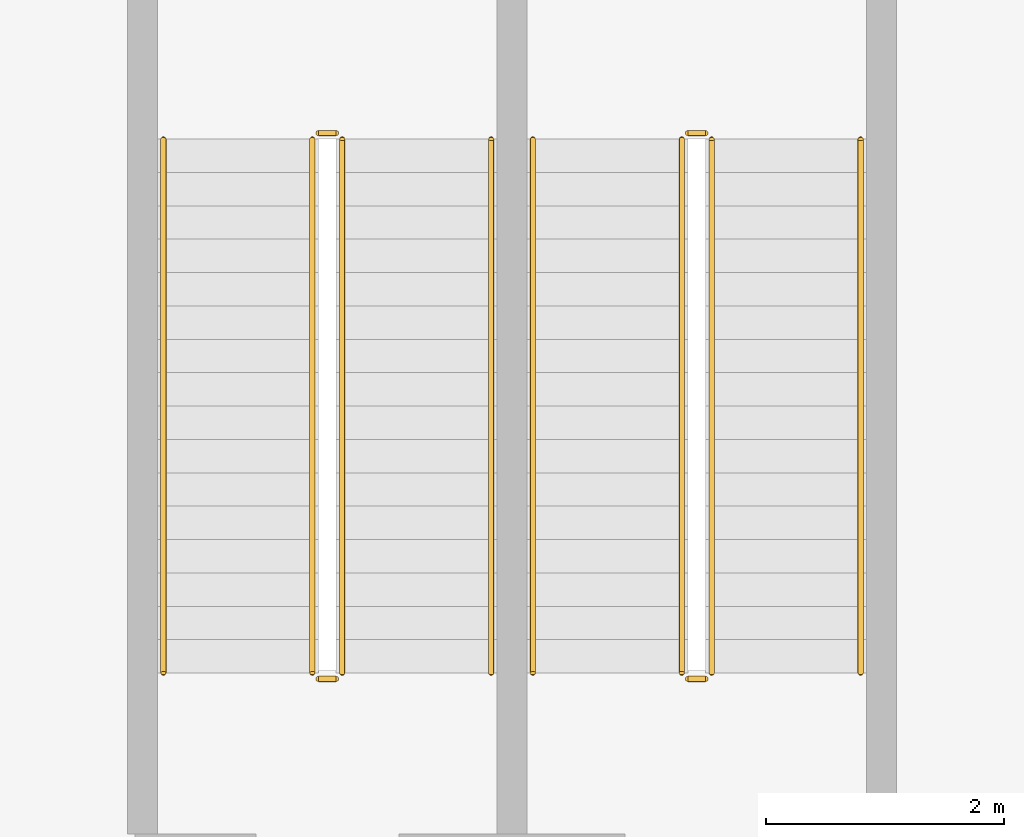
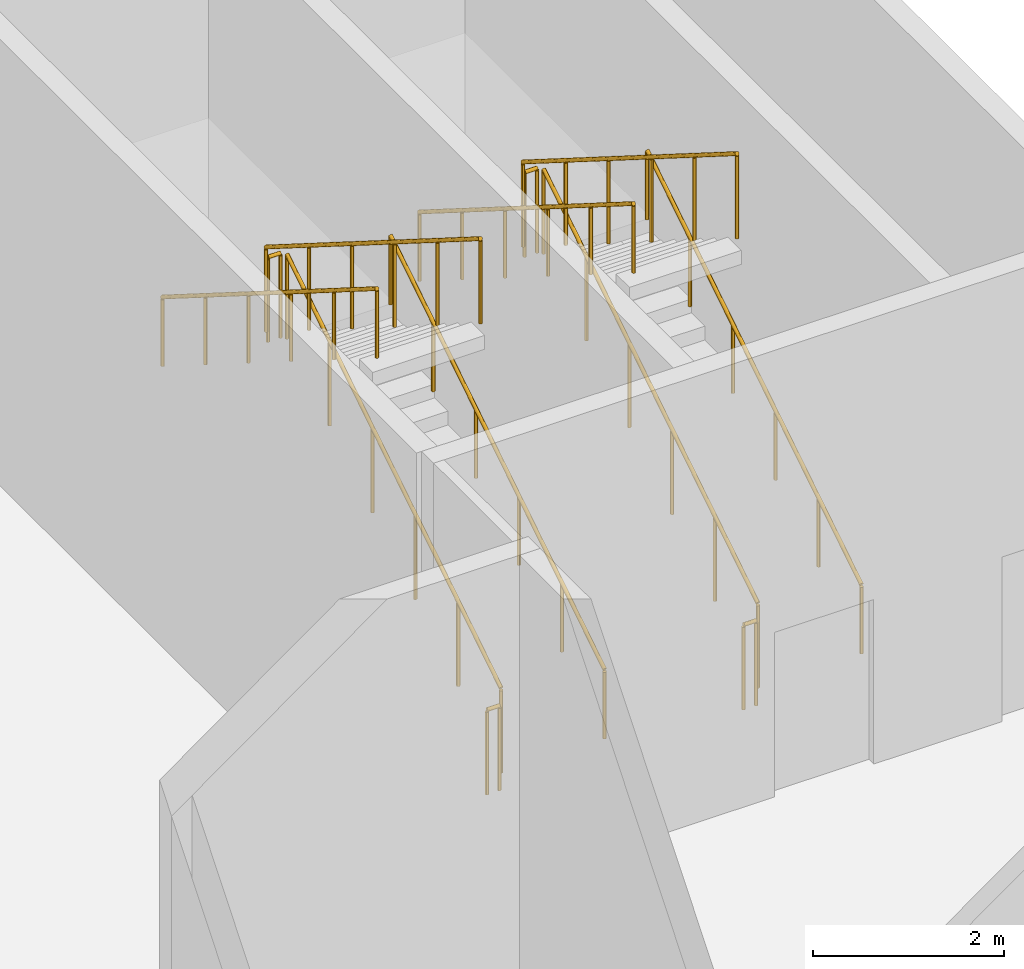
# One storey, part 49 of 49: 12 railings.
"""IFC4 building model written with IfcOpenShell, lengths in metres."""

from ifc_helpers import new_model, si_unit, direction, frame, origin, origin_2d, place, context, subcontext, project, spatial, circle, extrude, material, type_object, element, save


model = new_model("IFC4")

# Units and contexts
model_context = context("Model", 3, precision=1e-05, world=origin(), true_north=direction((0.0, 1.0)))
body_context = subcontext(model_context, "Body", "Model", "MODEL_VIEW")
ifc_project = project(units=[si_unit("LENGTHUNIT", "METRE"), si_unit("AREAUNIT", "SQUARE_METRE"), si_unit("VOLUMEUNIT", "CUBIC_METRE"), si_unit("PLANEANGLEUNIT", "RADIAN"), si_unit("MASSUNIT", "GRAM", prefix="KILO")], contexts=[model_context])

# Site, building, storey
site_placement = place(None, origin())
site = spatial("IfcSite", under=ifc_project, at=site_placement, CompositionType="ELEMENT")
building_placement = place(site_placement, origin())
building = spatial("IfcBuilding", under=site, at=building_placement, Name="Candeia Pilgrim Tower and Theatre", CompositionType="ELEMENT")
storey_placement = place(building_placement, frame((0.0, 0.0, 17.0)))
storey = spatial("IfcBuildingStorey", under=building, at=storey_placement, Name="L02", CompositionType="ELEMENT", Elevation=17.0)

# Railings
ifc_material = material(Name="Steel S355", Category="steel")
railing_type_1 = type_object("IfcRailingType", Name="Guard 1100 steel balustrade", PredefinedType="GUARDRAIL", material=ifc_material)
railing_1_placement = place(storey_placement, frame((236.47509765625, 107.77490234375, 0.176513671875)))
element("IfcRailing", 1, at=railing_1_placement, inside=storey, type_object=railing_type_1, Name="L02 TS3 stair guard 1", PredefinedType="GUARDRAIL", context=body_context, shape_type="SweptSolid", body=[
    extrude(circle(Radius=0.02392578125, at=origin_2d()), frame((0.0, 0.0, 1.076171875), z_axis=(0.0, 0.845997938375, 0.533186166611), x_axis=(-1.0, 0.0, 0.0)), (0.0, 0.0, 1.0), 5.29541015625),
    extrude(circle(Radius=0.02099609375, at=origin_2d()), origin(), (0.0, 0.0, 1.0), 1.052001953125),
    extrude(circle(Radius=0.02099609375, at=origin_2d()), frame((0.0, 0.89599609375, 0.564697265625)), (0.0, 0.0, 1.0), 1.052001953125),
    extrude(circle(Radius=0.02099609375, at=origin_2d()), frame((0.0, 1.7919921875, 1.12939453125)), (0.0, 0.0, 1.0), 1.052001953125),
    extrude(circle(Radius=0.02099609375, at=origin_2d()), frame((0.0, 2.68798828125, 1.694091796875)), (0.0, 0.0, 1.0), 1.052001953125),
    extrude(circle(Radius=0.02099609375, at=origin_2d()), frame((0.0, 3.583984375, 2.2587890625)), (0.0, 0.0, 1.0), 1.052001953125),
    extrude(circle(Radius=0.02099609375, at=origin_2d()), frame((0.0, 4.47998046875, 2.823486328125)), (0.0, 0.0, 1.0), 1.052001953125),
])
railing_2_placement = place(storey_placement, frame((236.425048828125, 112.304931640625, 3.0)))
element("IfcRailing", 2, at=railing_2_placement, inside=storey, type_object=railing_type_1, Name="L02 TS3 stair guard 2", PredefinedType="GUARDRAIL", context=body_context, shape_type="SweptSolid", body=[
    extrude(circle(Radius=0.02392578125, at=origin_2d()), frame((0.0, 0.0, 1.076171875), z_axis=(-1.0, 0.0, 0.0), x_axis=(0.0, -1.0, 0.0)), (0.0, 0.0, 1.0), 0.150146484375),
    extrude(circle(Radius=0.02099609375, at=origin_2d()), origin(), (0.0, 0.0, 1.0), 1.052001953125),
    extrude(circle(Radius=0.02099609375, at=origin_2d()), frame((-0.150146484375, 0.0, 0.0)), (0.0, 0.0, 1.0), 1.052001953125),
])
railing_3_placement = place(storey_placement, frame((236.22509765625, 112.2548828125, 3.176513671875)))
element("IfcRailing", 3, at=railing_3_placement, inside=storey, type_object=railing_type_1, Name="L02 TS3 stair guard 3", PredefinedType="GUARDRAIL", context=body_context, shape_type="SweptSolid", body=[
    extrude(circle(Radius=0.02392578125, at=origin_2d()), frame((0.0, 0.0, 1.076171875), z_axis=(0.0, -0.845997938375, 0.533186166611), x_axis=(1.0, 0.0, 0.0)), (0.0, 0.0, 1.0), 5.29541015625),
    extrude(circle(Radius=0.02099609375, at=origin_2d()), origin(), (0.0, 0.0, 1.0), 1.052001953125),
    extrude(circle(Radius=0.02099609375, at=origin_2d()), frame((0.0, -0.89599609375, 0.564697265625)), (0.0, 0.0, 1.0), 1.052001953125),
    extrude(circle(Radius=0.02099609375, at=origin_2d()), frame((0.0, -1.7919921875, 1.12939453125)), (0.0, 0.0, 1.0), 1.052001953125),
    extrude(circle(Radius=0.02099609375, at=origin_2d()), frame((0.0, -2.68798828125, 1.694091796875)), (0.0, 0.0, 1.0), 1.052001953125),
    extrude(circle(Radius=0.02099609375, at=origin_2d()), frame((0.0, -3.583984375, 2.2587890625)), (0.0, 0.0, 1.0), 1.052001953125),
    extrude(circle(Radius=0.02099609375, at=origin_2d()), frame((0.0, -4.47998046875, 2.823486328125)), (0.0, 0.0, 1.0), 1.052001953125),
])
railing_4_placement = place(storey_placement, frame((236.425048828125, 107.72509765625, 0.0)))
element("IfcRailing", 4, at=railing_4_placement, inside=storey, type_object=railing_type_1, Name="L02 TS3 stair guard 4", PredefinedType="GUARDRAIL", context=body_context, shape_type="SweptSolid", body=[
    extrude(circle(Radius=0.02392578125, at=origin_2d()), frame((0.0, 0.0, 1.076171875), z_axis=(-1.0, 0.0, 0.0), x_axis=(0.0, -1.0, 0.0)), (0.0, 0.0, 1.0), 0.150146484375),
    extrude(circle(Radius=0.02099609375, at=origin_2d()), origin(), (0.0, 0.0, 1.0), 1.052001953125),
    extrude(circle(Radius=0.02099609375, at=origin_2d()), frame((-0.150146484375, 0.0, 0.0)), (0.0, 0.0, 1.0), 1.052001953125),
])
railing_5_placement = place(storey_placement, frame((239.574951171875, 107.77490234375, 0.176513671875)))
element("IfcRailing", 5, at=railing_5_placement, inside=storey, type_object=railing_type_1, Name="L02 TS4 stair guard 1", PredefinedType="GUARDRAIL", context=body_context, shape_type="SweptSolid", body=[
    extrude(circle(Radius=0.02392578125, at=origin_2d()), frame((0.0, 0.0, 1.076171875), z_axis=(0.0, 0.845997938375, 0.533186166611), x_axis=(-1.0, 0.0, 0.0)), (0.0, 0.0, 1.0), 5.29541015625),
    extrude(circle(Radius=0.02099609375, at=origin_2d()), origin(), (0.0, 0.0, 1.0), 1.052001953125),
    extrude(circle(Radius=0.02099609375, at=origin_2d()), frame((0.0, 0.89599609375, 0.564697265625)), (0.0, 0.0, 1.0), 1.052001953125),
    extrude(circle(Radius=0.02099609375, at=origin_2d()), frame((0.0, 1.7919921875, 1.12939453125)), (0.0, 0.0, 1.0), 1.052001953125),
    extrude(circle(Radius=0.02099609375, at=origin_2d()), frame((0.0, 2.68798828125, 1.694091796875)), (0.0, 0.0, 1.0), 1.052001953125),
    extrude(circle(Radius=0.02099609375, at=origin_2d()), frame((0.0, 3.583984375, 2.2587890625)), (0.0, 0.0, 1.0), 1.052001953125),
    extrude(circle(Radius=0.02099609375, at=origin_2d()), frame((0.0, 4.47998046875, 2.823486328125)), (0.0, 0.0, 1.0), 1.052001953125),
])
railing_6_placement = place(storey_placement, frame((239.52490234375, 112.304931640625, 3.0)))
element("IfcRailing", 6, at=railing_6_placement, inside=storey, type_object=railing_type_1, Name="L02 TS4 stair guard 2", PredefinedType="GUARDRAIL", context=body_context, shape_type="SweptSolid", body=[
    extrude(circle(Radius=0.02392578125, at=origin_2d()), frame((0.0, 0.0, 1.076171875), z_axis=(-1.0, 0.0, 0.0), x_axis=(0.0, -1.0, 0.0)), (0.0, 0.0, 1.0), 0.14990234375),
    extrude(circle(Radius=0.02099609375, at=origin_2d()), origin(), (0.0, 0.0, 1.0), 1.052001953125),
    extrude(circle(Radius=0.02099609375, at=origin_2d()), frame((-0.14990234375, 0.0, 0.0)), (0.0, 0.0, 1.0), 1.052001953125),
])
railing_7_placement = place(storey_placement, frame((239.324951171875, 112.2548828125, 3.176513671875)))
element("IfcRailing", 7, at=railing_7_placement, inside=storey, type_object=railing_type_1, Name="L02 TS4 stair guard 3", PredefinedType="GUARDRAIL", context=body_context, shape_type="SweptSolid", body=[
    extrude(circle(Radius=0.02392578125, at=origin_2d()), frame((0.0, 0.0, 1.076171875), z_axis=(0.0, -0.845997938375, 0.533186166611), x_axis=(1.0, 0.0, 0.0)), (0.0, 0.0, 1.0), 5.29541015625),
    extrude(circle(Radius=0.02099609375, at=origin_2d()), origin(), (0.0, 0.0, 1.0), 1.052001953125),
    extrude(circle(Radius=0.02099609375, at=origin_2d()), frame((0.0, -0.89599609375, 0.564697265625)), (0.0, 0.0, 1.0), 1.052001953125),
    extrude(circle(Radius=0.02099609375, at=origin_2d()), frame((0.0, -1.7919921875, 1.12939453125)), (0.0, 0.0, 1.0), 1.052001953125),
    extrude(circle(Radius=0.02099609375, at=origin_2d()), frame((0.0, -2.68798828125, 1.694091796875)), (0.0, 0.0, 1.0), 1.052001953125),
    extrude(circle(Radius=0.02099609375, at=origin_2d()), frame((0.0, -3.583984375, 2.2587890625)), (0.0, 0.0, 1.0), 1.052001953125),
    extrude(circle(Radius=0.02099609375, at=origin_2d()), frame((0.0, -4.47998046875, 2.823486328125)), (0.0, 0.0, 1.0), 1.052001953125),
])
railing_8_placement = place(storey_placement, frame((239.52490234375, 107.72509765625, 0.0)))
element("IfcRailing", 8, at=railing_8_placement, inside=storey, type_object=railing_type_1, Name="L02 TS4 stair guard 4", PredefinedType="GUARDRAIL", context=body_context, shape_type="SweptSolid", body=[
    extrude(circle(Radius=0.02392578125, at=origin_2d()), frame((0.0, 0.0, 1.076171875), z_axis=(-1.0, 0.0, 0.0), x_axis=(0.0, -1.0, 0.0)), (0.0, 0.0, 1.0), 0.14990234375),
    extrude(circle(Radius=0.02099609375, at=origin_2d()), origin(), (0.0, 0.0, 1.0), 1.052001953125),
    extrude(circle(Radius=0.02099609375, at=origin_2d()), frame((-0.14990234375, 0.0, 0.0)), (0.0, 0.0, 1.0), 1.052001953125),
])
railing_type_2 = type_object("IfcRailingType", Name="Handrail 900 steel", PredefinedType="HANDRAIL", material=ifc_material)
railing_9_placement = place(storey_placement, frame((237.72509765625, 107.77490234375, 0.176513671875)))
element("IfcRailing", 9, at=railing_9_placement, inside=storey, type_object=railing_type_2, Name="L02 TS3 stair handrail 1", PredefinedType="HANDRAIL", context=body_context, shape_type="SweptSolid", body=[
    extrude(circle(Radius=0.02392578125, at=origin_2d()), frame((0.0, 0.0, 0.8759765625), z_axis=(0.0, 0.845997938375, 0.533186166611), x_axis=(-1.0, 0.0, 0.0)), (0.0, 0.0, 1.0), 5.29541015625),
    extrude(circle(Radius=0.02099609375, at=origin_2d()), origin(), (0.0, 0.0, 1.0), 0.851806640625),
    extrude(circle(Radius=0.02099609375, at=origin_2d()), frame((0.0, 0.89599609375, 0.564697265625)), (0.0, 0.0, 1.0), 0.851806640625),
    extrude(circle(Radius=0.02099609375, at=origin_2d()), frame((0.0, 1.7919921875, 1.12939453125)), (0.0, 0.0, 1.0), 0.851806640625),
    extrude(circle(Radius=0.02099609375, at=origin_2d()), frame((0.0, 2.68798828125, 1.694091796875)), (0.0, 0.0, 1.0), 0.851806640625),
    extrude(circle(Radius=0.02099609375, at=origin_2d()), frame((0.0, 3.583984375, 2.2587890625)), (0.0, 0.0, 1.0), 0.851806640625),
    extrude(circle(Radius=0.02099609375, at=origin_2d()), frame((0.0, 4.47998046875, 2.823486328125)), (0.0, 0.0, 1.0), 0.851806640625),
])
railing_10_placement = place(storey_placement, frame((234.97509765625, 112.2548828125, 3.176513671875)))
element("IfcRailing", 10, at=railing_10_placement, inside=storey, type_object=railing_type_2, Name="L02 TS3 stair handrail 2", PredefinedType="HANDRAIL", context=body_context, shape_type="SweptSolid", body=[
    extrude(circle(Radius=0.02392578125, at=origin_2d()), frame((0.0, 0.0, 0.8759765625), z_axis=(0.0, -0.845997938375, 0.533186166611), x_axis=(1.0, 0.0, 0.0)), (0.0, 0.0, 1.0), 5.29541015625),
    extrude(circle(Radius=0.02099609375, at=origin_2d()), origin(), (0.0, 0.0, 1.0), 0.851806640625),
    extrude(circle(Radius=0.02099609375, at=origin_2d()), frame((0.0, -0.89599609375, 0.564697265625)), (0.0, 0.0, 1.0), 0.851806640625),
    extrude(circle(Radius=0.02099609375, at=origin_2d()), frame((0.0, -1.7919921875, 1.12939453125)), (0.0, 0.0, 1.0), 0.851806640625),
    extrude(circle(Radius=0.02099609375, at=origin_2d()), frame((0.0, -2.68798828125, 1.694091796875)), (0.0, 0.0, 1.0), 0.851806640625),
    extrude(circle(Radius=0.02099609375, at=origin_2d()), frame((0.0, -3.583984375, 2.2587890625)), (0.0, 0.0, 1.0), 0.851806640625),
    extrude(circle(Radius=0.02099609375, at=origin_2d()), frame((0.0, -4.47998046875, 2.823486328125)), (0.0, 0.0, 1.0), 0.851806640625),
])
railing_11_placement = place(storey_placement, frame((240.824951171875, 107.77490234375, 0.176513671875)))
element("IfcRailing", 11, at=railing_11_placement, inside=storey, type_object=railing_type_2, Name="L02 TS4 stair handrail 1", PredefinedType="HANDRAIL", context=body_context, shape_type="SweptSolid", body=[
    extrude(circle(Radius=0.02392578125, at=origin_2d()), frame((0.0, 0.0, 0.8759765625), z_axis=(0.0, 0.845997938375, 0.533186166611), x_axis=(-1.0, 0.0, 0.0)), (0.0, 0.0, 1.0), 5.29541015625),
    extrude(circle(Radius=0.02099609375, at=origin_2d()), origin(), (0.0, 0.0, 1.0), 0.851806640625),
    extrude(circle(Radius=0.02099609375, at=origin_2d()), frame((0.0, 0.89599609375, 0.564697265625)), (0.0, 0.0, 1.0), 0.851806640625),
    extrude(circle(Radius=0.02099609375, at=origin_2d()), frame((0.0, 1.7919921875, 1.12939453125)), (0.0, 0.0, 1.0), 0.851806640625),
    extrude(circle(Radius=0.02099609375, at=origin_2d()), frame((0.0, 2.68798828125, 1.694091796875)), (0.0, 0.0, 1.0), 0.851806640625),
    extrude(circle(Radius=0.02099609375, at=origin_2d()), frame((0.0, 3.583984375, 2.2587890625)), (0.0, 0.0, 1.0), 0.851806640625),
    extrude(circle(Radius=0.02099609375, at=origin_2d()), frame((0.0, 4.47998046875, 2.823486328125)), (0.0, 0.0, 1.0), 0.851806640625),
])
railing_12_placement = place(storey_placement, frame((238.074951171875, 112.2548828125, 3.176513671875)))
element("IfcRailing", 12, at=railing_12_placement, inside=storey, type_object=railing_type_2, Name="L02 TS4 stair handrail 2", PredefinedType="HANDRAIL", context=body_context, shape_type="SweptSolid", body=[
    extrude(circle(Radius=0.02392578125, at=origin_2d()), frame((0.0, 0.0, 0.8759765625), z_axis=(0.0, -0.845997938375, 0.533186166611), x_axis=(1.0, 0.0, 0.0)), (0.0, 0.0, 1.0), 5.29541015625),
    extrude(circle(Radius=0.02099609375, at=origin_2d()), origin(), (0.0, 0.0, 1.0), 0.851806640625),
    extrude(circle(Radius=0.02099609375, at=origin_2d()), frame((0.0, -0.89599609375, 0.564697265625)), (0.0, 0.0, 1.0), 0.851806640625),
    extrude(circle(Radius=0.02099609375, at=origin_2d()), frame((0.0, -1.7919921875, 1.12939453125)), (0.0, 0.0, 1.0), 0.851806640625),
    extrude(circle(Radius=0.02099609375, at=origin_2d()), frame((0.0, -2.68798828125, 1.694091796875)), (0.0, 0.0, 1.0), 0.851806640625),
    extrude(circle(Radius=0.02099609375, at=origin_2d()), frame((0.0, -3.583984375, 2.2587890625)), (0.0, 0.0, 1.0), 0.851806640625),
    extrude(circle(Radius=0.02099609375, at=origin_2d()), frame((0.0, -4.47998046875, 2.823486328125)), (0.0, 0.0, 1.0), 0.851806640625),
])

save(model, "model.ifc")
